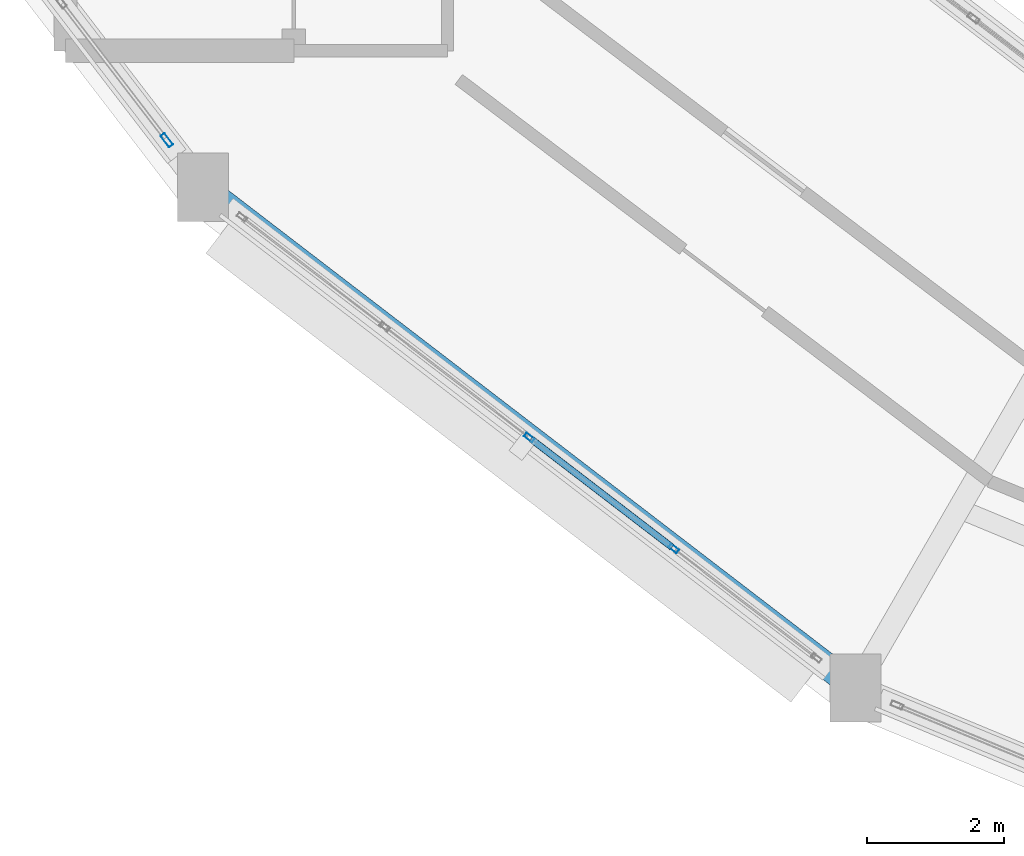
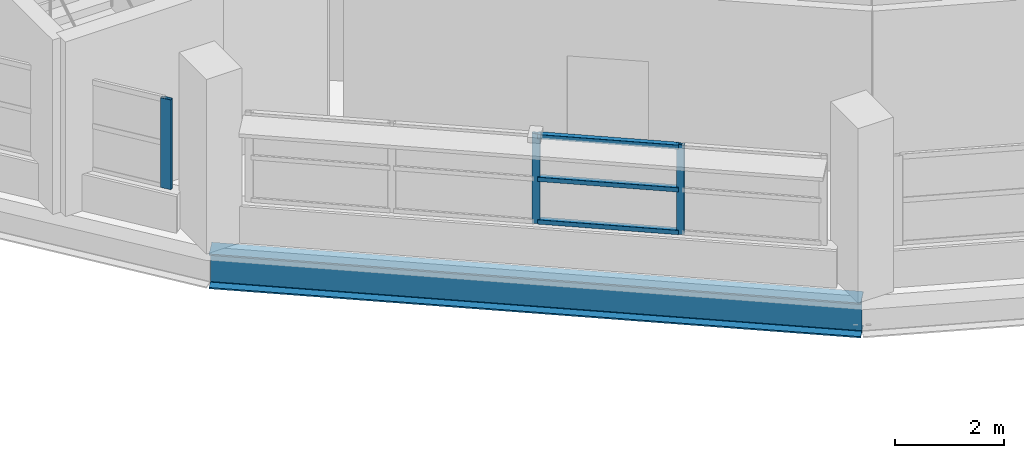
# One storey, part 6 of 88: 6 members, 1 beam, 2 elements without a shape of their own.
"""IFC4 building model written with IfcOpenShell, lengths in metres."""

from ifc_helpers import new_model, si_unit, direction, frame, origin, origin_2d, place, context, subcontext, project, spatial, hollow_rectangle, i_section, extrude, material, layer, layer_set, material_profile, profile_set, type_object, element, aggregate, save


model = new_model("IFC4")

# Units and contexts
model_context = context("Model", 3, precision=1e-05, world=origin(), true_north=direction((0.0, 1.0)))
body_context = subcontext(model_context, "Body", "Model", "MODEL_VIEW")
ifc_project = project(units=[si_unit("LENGTHUNIT", "METRE"), si_unit("AREAUNIT", "SQUARE_METRE"), si_unit("VOLUMEUNIT", "CUBIC_METRE"), si_unit("PLANEANGLEUNIT", "RADIAN"), si_unit("MASSUNIT", "GRAM", prefix="KILO")], contexts=[model_context])

# Site, building, storey
site_placement = place(None, origin())
site = spatial("IfcSite", under=ifc_project, at=site_placement, CompositionType="ELEMENT")
building_placement = place(site_placement, origin())
building = spatial("IfcBuilding", under=site, at=building_placement, Name="Vespera Passage Community Centre", CompositionType="ELEMENT")
storey_placement = place(building_placement, frame((0.0, 0.0, 16.5)))
storey = spatial("IfcBuildingStorey", under=building, at=storey_placement, Name="L04", CompositionType="ELEMENT", Elevation=16.5)

# Beam
ifc_material_1 = material(Name="Steel ASTM A992 Grade 50", Category="steel")
ifc_material_profile_1 = material_profile(ifc_material_1, i_section(OverallWidth=0.382080078125, OverallDepth=0.779296875, WebThickness=0.01806640625, FlangeThickness=0.030029296875, FilletRadius=0.0166015625, at=origin_2d()), Name="W30X191")
ifc_profile_set_1 = profile_set([ifc_material_profile_1], Name="Steel ASTM A992 Grade 50")
beam_type = type_object("IfcBeamType", Name="BM-SP-W30X191E", PredefinedType="SPANDREL", material=ifc_profile_set_1)
beam_placement = place(storey_placement, frame((45.40234375, 32.90234375, -0.689697265625), z_axis=(0.793351934501, -0.608763261066, 0.0), x_axis=(0.608763261066, 0.793351934501, 0.0)))
element("IfcBeam", 1, at=beam_placement, inside=storey, type_object=beam_type, Name="V4 L04 Outer Spandrel 15", PredefinedType="SPANDREL", context=body_context, shape_type="SweptSolid", body=[
    extrude(i_section(OverallWidth=0.382080078125, OverallDepth=0.779296875, WebThickness=0.01806640625, FlangeThickness=0.030029296875, FilletRadius=0.0166015625, at=origin_2d()), origin(), (0.0, 0.0, 1.0), 12.034423828125),
])

# Curtain wall, members
ifc_material_2 = material(Name="Anodized aluminium 6063-T6", Category="aluminium")
ifc_layer_1 = layer(ifc_material_2, 0.159912109375)
ifc_layer_set_1 = layer_set([ifc_layer_1], Name="Anodized aluminium 6063-T6")
curtain_wall_type_1 = type_object("IfcCurtainWallType", Name="CW-53E", PredefinedType="NOTDEFINED", material=ifc_layer_set_1)
curtain_wall_1_placement = place(storey_placement, origin())
curtain_wall_1 = element("IfcCurtainWall", 2, at=curtain_wall_1_placement, inside=storey, type_object=curtain_wall_type_1, Name="V4 L04 Outer Ribbon Curtain Wall 15", PredefinedType="NOTDEFINED")
ifc_material_3 = material(Name="Anodized aluminium 6063-T6", Category="aluminium")
ifc_material_profile_2 = material_profile(ifc_material_3, hollow_rectangle(XDim=0.06494140625, YDim=0.14990234375, WallThickness=0.00390625, InnerFilletRadius=0.001953125, OuterFilletRadius=0.00390625, at=origin_2d()), Name="ALU150X65X4")
ifc_profile_set_2 = profile_set([ifc_material_profile_2], Name="Anodized aluminium 6063-T6")
member_type_1 = type_object("IfcMemberType", Name="MB-CWM-150E", PredefinedType="MULLION", material=ifc_profile_set_2)
member_1_placement = place(storey_placement, frame((52.290283203125, 27.616943359375, 0.820068359375), z_axis=(0.0, 0.0, 1.0), x_axis=(-0.608771824991, -0.793345363065, 0.0)))
member_1 = element("IfcMember", 3, at=member_1_placement, type_object=member_type_1, Name="CW-53E mullion 2", PredefinedType="MULLION", context=body_context, shape_type="SweptSolid", body=[
    extrude(hollow_rectangle(XDim=0.06494140625, YDim=0.14990234375, WallThickness=0.00390625, InnerFilletRadius=0.001953125, OuterFilletRadius=0.00390625, at=origin_2d()), origin(), (0.0, 0.0, 1.0), 2.005615234375),
])
member_2_placement = place(storey_placement, frame((50.17626953125, 29.2392578125, 0.820068359375), z_axis=(0.0, 0.0, 1.0), x_axis=(-0.608771824991, -0.793345363065, 0.0)))
member_2 = element("IfcMember", 4, at=member_2_placement, type_object=member_type_1, Name="CW-53E mullion 3", PredefinedType="MULLION", context=body_context, shape_type="SweptSolid", body=[
    extrude(hollow_rectangle(XDim=0.06494140625, YDim=0.14990234375, WallThickness=0.00390625, InnerFilletRadius=0.001953125, OuterFilletRadius=0.00390625, at=origin_2d()), origin(), (0.0, 0.0, 1.0), 2.005615234375),
])

# Curtain wall, member
ifc_material_4 = material(Name="Anodized aluminium 6063-T6", Category="aluminium")
ifc_layer_2 = layer(ifc_material_4, 0.159912109375)
ifc_layer_set_2 = layer_set([ifc_layer_2], Name="Anodized aluminium 6063-T6")
curtain_wall_type_2 = type_object("IfcCurtainWallType", Name="CW-66E", PredefinedType="NOTDEFINED", material=ifc_layer_set_2)
curtain_wall_2_placement = place(storey_placement, origin())
curtain_wall_2 = element("IfcCurtainWall", 5, at=curtain_wall_2_placement, inside=storey, type_object=curtain_wall_type_2, Name="V4 L04 Outer Ribbon Curtain Wall 14", PredefinedType="NOTDEFINED")
ifc_material_5 = material(Name="Anodized aluminium 6063-T6", Category="aluminium")
ifc_material_profile_3 = material_profile(ifc_material_5, hollow_rectangle(XDim=0.074951171875, YDim=0.2099609375, WallThickness=0.0048828125, InnerFilletRadius=0.00244140625, OuterFilletRadius=0.0048828125, at=origin_2d()), Name="ALU210X75X5")
ifc_profile_set_3 = profile_set([ifc_material_profile_3], Name="Anodized aluminium 6063-T6")
member_type_2 = type_object("IfcMemberType", Name="MB-CWM-210E", PredefinedType="MULLION", material=ifc_profile_set_3)
member_3_placement = place(storey_placement, frame((44.873779296875, 33.591552734375, 0.820068359375), z_axis=(0.0, 0.0, 1.0), x_axis=(-0.793350257139, -0.608765447029, 0.0)))
member_3 = element("IfcMember", 6, at=member_3_placement, type_object=member_type_2, Name="CW-66E mullion 1", PredefinedType="MULLION", context=body_context, shape_type="SweptSolid", body=[
    extrude(hollow_rectangle(XDim=0.074951171875, YDim=0.2099609375, WallThickness=0.0048828125, InnerFilletRadius=0.00244140625, OuterFilletRadius=0.0048828125, at=origin_2d()), origin(), (0.0, 0.0, 1.0), 2.005615234375),
])
aggregate(curtain_wall_2, [member_3])

# Member
ifc_material_6 = material(Name="Anodized aluminium 6063-T6", Category="aluminium")
ifc_material_profile_4 = material_profile(ifc_material_6, hollow_rectangle(XDim=0.10009765625, YDim=0.10009765625, WallThickness=0.00390625, InnerFilletRadius=0.001953125, OuterFilletRadius=0.00390625, at=origin_2d()), Name="ALU100X100X4")
ifc_profile_set_4 = profile_set([ifc_material_profile_4], Name="Anodized aluminium 6063-T6")
member_type_3 = type_object("IfcMemberType", Name="MB-CWT-100E", PredefinedType="USERDEFINED", material=ifc_profile_set_4)
member_4_placement = place(storey_placement, frame((52.264404296875, 27.63671875, 0.8701171875), z_axis=(-0.793325147434, 0.608798168894, 0.0), x_axis=(-0.608798168894, -0.793325147434, 0.0)))
member_4 = element("IfcMember", 7, at=member_4_placement, type_object=member_type_3, Name="CW-53E transom 2.1", ObjectType="TRANSOM", PredefinedType="USERDEFINED", context=body_context, shape_type="SweptSolid", body=[
    extrude(hollow_rectangle(XDim=0.10009765625, YDim=0.10009765625, WallThickness=0.00390625, InnerFilletRadius=0.001953125, OuterFilletRadius=0.00390625, at=origin_2d()), origin(), (0.0, 0.0, 1.0), 2.599853515625),
])

member_5_placement = place(storey_placement, frame((52.264404296875, 27.63671875, 1.82275390625), z_axis=(-0.793325147434, 0.608798168894, 0.0), x_axis=(-0.608798168894, -0.793325147434, 0.0)))
member_5 = element("IfcMember", 8, at=member_5_placement, type_object=member_type_3, Name="CW-53E transom 2.2", ObjectType="TRANSOM", PredefinedType="USERDEFINED", context=body_context, shape_type="SweptSolid", body=[
    extrude(hollow_rectangle(XDim=0.10009765625, YDim=0.10009765625, WallThickness=0.00390625, InnerFilletRadius=0.001953125, OuterFilletRadius=0.00390625, at=origin_2d()), origin(), (0.0, 0.0, 1.0), 2.599853515625),
])

member_6_placement = place(storey_placement, frame((52.264404296875, 27.63671875, 2.775634765625), z_axis=(-0.793325147434, 0.608798168894, 0.0), x_axis=(-0.608798168894, -0.793325147434, 0.0)))
member_6 = element("IfcMember", 9, at=member_6_placement, type_object=member_type_3, Name="CW-53E transom 2.3", ObjectType="TRANSOM", PredefinedType="USERDEFINED", context=body_context, shape_type="SweptSolid", body=[
    extrude(hollow_rectangle(XDim=0.10009765625, YDim=0.10009765625, WallThickness=0.00390625, InnerFilletRadius=0.001953125, OuterFilletRadius=0.00390625, at=origin_2d()), origin(), (0.0, 0.0, 1.0), 2.599853515625),
])

aggregate(curtain_wall_1, [member_1, member_2, member_4, member_5, member_6])

save(model, "model.ifc")
